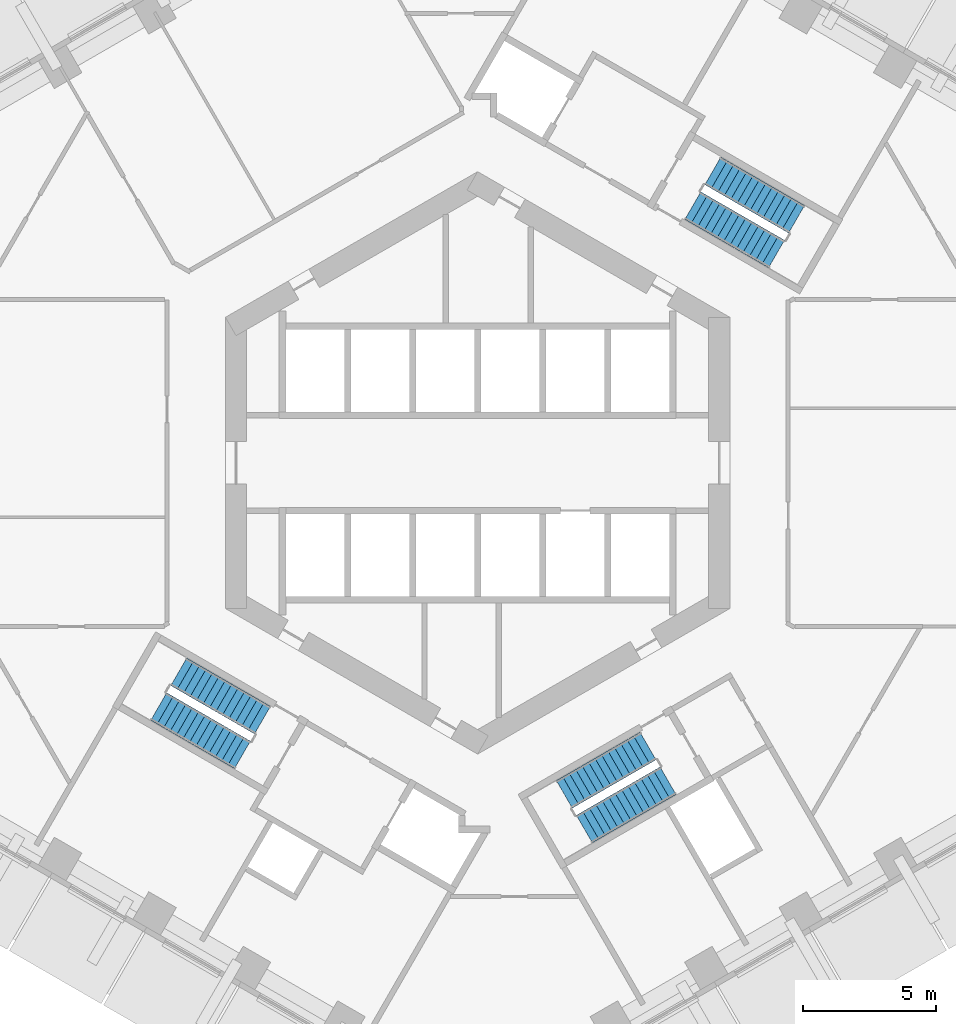
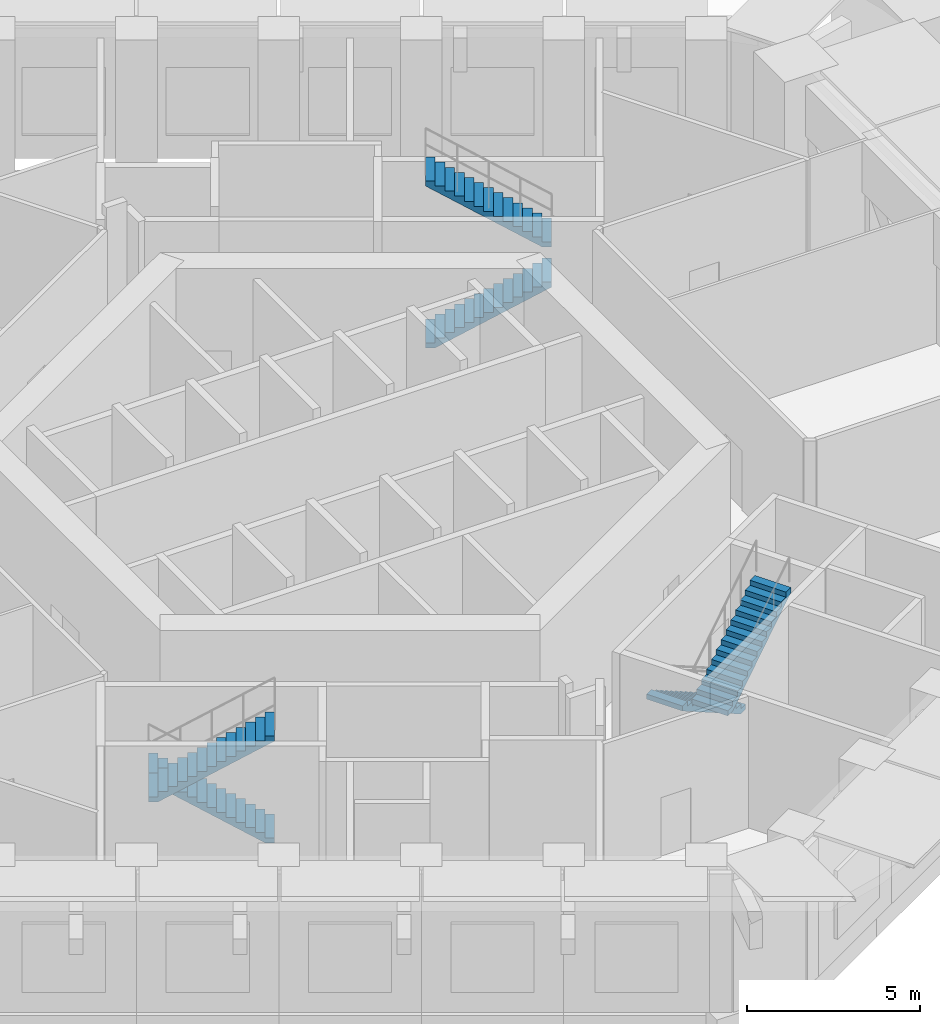
# One storey, part 7 of 10: 6 stair flights, 3 elements without a shape of their own.
"""IFC4 building model written with IfcOpenShell, lengths in metres."""

from ifc_helpers import new_model, si_unit, direction, frame, origin, place, context, subcontext, project, spatial, triangles, material, type_object, element, aggregate, save


model = new_model("IFC4")

# Units and contexts
model_context = context("Model", 3, precision=1e-05, world=origin(), true_north=direction((0.0, 1.0)))
body_context = subcontext(model_context, "Body", "Model", "MODEL_VIEW")
ifc_project = project(units=[si_unit("LENGTHUNIT", "METRE"), si_unit("AREAUNIT", "SQUARE_METRE"), si_unit("VOLUMEUNIT", "CUBIC_METRE"), si_unit("PLANEANGLEUNIT", "RADIAN"), si_unit("MASSUNIT", "GRAM", prefix="KILO")], contexts=[model_context])

# Site, building, storey
site_placement = place(None, origin())
site = spatial("IfcSite", under=ifc_project, at=site_placement, CompositionType="ELEMENT")
building_placement = place(site_placement, origin())
building = spatial("IfcBuilding", under=site, at=building_placement, Name="Ayvan Gate Tower", CompositionType="ELEMENT")
storey_placement = place(building_placement, frame((0.0, 0.0, 20.5)))
storey = spatial("IfcBuildingStorey", under=building, at=storey_placement, Name="L04", CompositionType="ELEMENT", Elevation=20.5)

# Stair, stair flights
ifc_material = material(Name="Concrete C40/50", Category="concrete")
stair_type = type_object("IfcStairType", Name="ST-EXIT", PredefinedType="HALF_TURN_STAIR", material=ifc_material)
stair_1_placement = place(storey_placement, origin())
stair_1 = element("IfcStair", 1, at=stair_1_placement, inside=storey, type_object=stair_type, Name="L04 Exit Stair S1", PredefinedType="HALF_TURN_STAIR")
stair_flight_type = type_object("IfcStairFlightType", Name="SFL-EXIT", PredefinedType="STRAIGHT", material=ifc_material)
stair_flight_1_placement = place(storey_placement, frame((8.106201171875, 9.690185546875, 0.0), z_axis=(0.0, 0.0, 1.0), x_axis=(0.866025403784, -0.5, 0.0)))
stair_flight_1 = element("IfcStairFlight", 2, at=stair_flight_1_placement, type_object=stair_flight_type, Name="STS1 flight 1", NumberOfRisers=14, NumberOfTreads=13, PredefinedType="STRAIGHT", RiserHeight=0.178571429, TreadLength=0.28, context=body_context, shape_type="Tessellation", body=[
    triangles([(0.278779, -0.599976, 0.0), (3.6405, -0.599976, 2.143955), (3.6405, -0.599976, 2.321429), (3.36, -0.599976, 2.321429), (3.36, -0.599976, 2.142857), (3.08, -0.599976, 2.142857), (3.08, -0.599976, 1.964286), (2.8, -0.599976, 1.964286), (2.8, -0.599976, 1.785714), (2.52, -0.599976, 1.785714), (2.52, -0.599976, 1.607143), (2.24, -0.599976, 1.607143), (2.24, -0.599976, 1.428571), (1.96, -0.599976, 1.428571), (1.96, -0.599976, 1.25), (1.68, -0.599976, 1.25), (1.68, -0.599976, 1.071429), (1.4, -0.599976, 1.071429), (1.4, -0.599976, 0.892857), (1.12, -0.599976, 0.892857), (1.12, -0.599976, 0.714286), (0.84, -0.599976, 0.714286), (0.84, -0.599976, 0.535714), (0.56, -0.599976, 0.535714), (0.56, -0.599976, 0.357143), (0.28, -0.599976, 0.357143), (0.28, -0.599976, 0.178571), (-0.0005, -0.599976, 0.178571), (-0.0005, -0.599976, 0.0), (0.278779, 0.0, 0.0), (3.6405, 0.0, 2.143955), (3.6405, 0.0, 2.321429), (3.36, 0.0, 2.321429), (3.36, 0.0, 2.142857), (3.08, 0.0, 2.142857), (3.08, 0.0, 1.964286), (2.8, 0.0, 1.964286), (2.8, 0.0, 1.785714), (2.52, 0.0, 1.785714), (2.52, 0.0, 1.607143), (2.24, 0.0, 1.607143), (2.24, 0.0, 1.428571), (1.96, 0.0, 1.428571), (1.96, 0.0, 1.25), (1.68, 0.0, 1.25), (1.68, 0.0, 1.071429), (1.4, 0.0, 1.071429), (1.4, 0.0, 0.892857), (1.12, 0.0, 0.892857), (1.12, 0.0, 0.714286), (0.84, 0.0, 0.714286), (0.84, 0.0, 0.535714), (0.56, 0.0, 0.535714), (0.56, 0.0, 0.357143), (0.28, 0.0, 0.357143), (0.28, 0.0, 0.178571), (-0.0005, 0.0, 0.178571), (-0.0005, 0.0, 0.0), (0.278779, 0.599976, 0.0), (3.6405, 0.599976, 2.143955), (3.6405, 0.599976, 2.321429), (3.36, 0.599976, 2.321429), (3.36, 0.599976, 2.142857), (3.08, 0.599976, 2.142857), (3.08, 0.599976, 1.964286), (2.8, 0.599976, 1.964286), (2.8, 0.599976, 1.785714), (2.52, 0.599976, 1.785714), (2.52, 0.599976, 1.607143), (2.24, 0.599976, 1.607143), (2.24, 0.599976, 1.428571), (1.96, 0.599976, 1.428571), (1.96, 0.599976, 1.25), (1.68, 0.599976, 1.25), (1.68, 0.599976, 1.071429), (1.4, 0.599976, 1.071429), (1.4, 0.599976, 0.892857), (1.12, 0.599976, 0.892857), (1.12, 0.599976, 0.714286), (0.84, 0.599976, 0.714286), (0.84, 0.599976, 0.535714), (0.56, 0.599976, 0.535714), (0.56, 0.599976, 0.357143), (0.28, 0.599976, 0.357143), (0.28, 0.599976, 0.178571), (-0.0005, 0.599976, 0.178571), (-0.0005, 0.599976, 0.0)], [[29, 1, 2], [87, 60, 59], [2, 3, 4], [60, 62, 61], [2, 4, 5], [60, 63, 62], [5, 6, 7], [63, 65, 64], [2, 5, 7], [60, 65, 63], [7, 8, 9], [65, 67, 66], [2, 7, 9], [60, 67, 65], [9, 10, 11], [67, 69, 68], [2, 9, 11], [60, 69, 67], [11, 12, 13], [69, 71, 70], [2, 11, 13], [60, 71, 69], [13, 14, 15], [71, 73, 72], [2, 13, 15], [60, 73, 71], [15, 16, 17], [73, 75, 74], [2, 15, 17], [60, 75, 73], [17, 18, 19], [75, 77, 76], [2, 17, 19], [60, 77, 75], [19, 20, 21], [77, 79, 78], [2, 19, 21], [60, 79, 77], [21, 22, 23], [79, 81, 80], [2, 21, 23], [60, 81, 79], [23, 24, 25], [81, 83, 82], [2, 23, 25], [60, 83, 81], [25, 26, 27], [83, 85, 84], [2, 25, 27], [60, 85, 83], [29, 2, 27], [87, 85, 60], [27, 28, 29], [85, 87, 86], [1, 30, 31], [1, 31, 2], [59, 31, 30], [59, 60, 31], [2, 31, 32], [2, 32, 3], [60, 32, 31], [60, 61, 32], [3, 32, 33], [3, 33, 4], [61, 33, 32], [61, 62, 33], [4, 33, 34], [4, 34, 5], [62, 34, 33], [62, 63, 34], [5, 34, 35], [5, 35, 6], [63, 35, 34], [63, 64, 35], [6, 35, 36], [6, 36, 7], [64, 36, 35], [64, 65, 36], [7, 36, 37], [7, 37, 8], [65, 37, 36], [65, 66, 37], [8, 37, 38], [8, 38, 9], [66, 38, 37], [66, 67, 38], [9, 38, 39], [9, 39, 10], [67, 39, 38], [67, 68, 39], [10, 39, 40], [10, 40, 11], [68, 40, 39], [68, 69, 40], [11, 40, 41], [11, 41, 12], [69, 41, 40], [69, 70, 41], [12, 41, 42], [12, 42, 13], [70, 42, 41], [70, 71, 42], [13, 42, 43], [13, 43, 14], [71, 43, 42], [71, 72, 43], [14, 43, 44], [14, 44, 15], [72, 44, 43], [72, 73, 44], [15, 44, 45], [15, 45, 16], [73, 45, 44], [73, 74, 45], [16, 45, 46], [16, 46, 17], [74, 46, 45], [74, 75, 46], [17, 46, 47], [17, 47, 18], [75, 47, 46], [75, 76, 47], [18, 47, 48], [18, 48, 19], [76, 48, 47], [76, 77, 48], [19, 48, 49], [19, 49, 20], [77, 49, 48], [77, 78, 49], [20, 49, 50], [20, 50, 21], [78, 50, 49], [78, 79, 50], [21, 50, 51], [21, 51, 22], [79, 51, 50], [79, 80, 51], [22, 51, 52], [22, 52, 23], [80, 52, 51], [80, 81, 52], [23, 52, 53], [23, 53, 24], [81, 53, 52], [81, 82, 53], [24, 53, 54], [24, 54, 25], [82, 54, 53], [82, 83, 54], [25, 54, 55], [25, 55, 26], [83, 55, 54], [83, 84, 55], [26, 55, 56], [26, 56, 27], [84, 56, 55], [84, 85, 56], [27, 56, 57], [27, 57, 28], [85, 57, 56], [85, 86, 57], [28, 57, 58], [28, 58, 29], [86, 58, 57], [86, 87, 58], [29, 58, 30], [29, 30, 1], [87, 30, 58], [87, 59, 30]], closed=True),
])
stair_flight_2_placement = place(storey_placement, frame((12.013427734375, 9.177978515625, 2.5), z_axis=(0.0, 0.0, 1.0), x_axis=(-0.866025403784, 0.5, 0.0)))
stair_flight_2 = element("IfcStairFlight", 3, at=stair_flight_2_placement, type_object=stair_flight_type, Name="STS1 flight 2", NumberOfRisers=14, NumberOfTreads=13, PredefinedType="STRAIGHT", RiserHeight=0.178571429, TreadLength=0.28, context=body_context, shape_type="Tessellation", body=[
    triangles([(0.278779, -0.599976, 0.0), (3.6405, -0.599976, 2.143955), (3.6405, -0.599976, 2.321429), (3.36, -0.599976, 2.321429), (3.36, -0.599976, 2.142857), (3.08, -0.599976, 2.142857), (3.08, -0.599976, 1.964286), (2.8, -0.599976, 1.964286), (2.8, -0.599976, 1.785714), (2.52, -0.599976, 1.785714), (2.52, -0.599976, 1.607143), (2.24, -0.599976, 1.607143), (2.24, -0.599976, 1.428571), (1.96, -0.599976, 1.428571), (1.96, -0.599976, 1.25), (1.68, -0.599976, 1.25), (1.68, -0.599976, 1.071429), (1.4, -0.599976, 1.071429), (1.4, -0.599976, 0.892857), (1.12, -0.599976, 0.892857), (1.12, -0.599976, 0.714286), (0.84, -0.599976, 0.714286), (0.84, -0.599976, 0.535714), (0.56, -0.599976, 0.535714), (0.56, -0.599976, 0.357143), (0.28, -0.599976, 0.357143), (0.28, -0.599976, 0.178571), (-0.0005, -0.599976, 0.178571), (-0.0005, -0.599976, 0.0), (0.278779, 0.0, 0.0), (3.6405, 0.0, 2.143955), (3.6405, 0.0, 2.321429), (3.36, 0.0, 2.321429), (3.36, 0.0, 2.142857), (3.08, 0.0, 2.142857), (3.08, 0.0, 1.964286), (2.8, 0.0, 1.964286), (2.8, 0.0, 1.785714), (2.52, 0.0, 1.785714), (2.52, 0.0, 1.607143), (2.24, 0.0, 1.607143), (2.24, 0.0, 1.428571), (1.96, 0.0, 1.428571), (1.96, 0.0, 1.25), (1.68, 0.0, 1.25), (1.68, 0.0, 1.071429), (1.4, 0.0, 1.071429), (1.4, 0.0, 0.892857), (1.12, 0.0, 0.892857), (1.12, 0.0, 0.714286), (0.84, 0.0, 0.714286), (0.84, 0.0, 0.535714), (0.56, 0.0, 0.535714), (0.56, 0.0, 0.357143), (0.28, 0.0, 0.357143), (0.28, 0.0, 0.178571), (-0.0005, 0.0, 0.178571), (-0.0005, 0.0, 0.0), (0.278779, 0.599976, 0.0), (3.6405, 0.599976, 2.143955), (3.6405, 0.599976, 2.321429), (3.36, 0.599976, 2.321429), (3.36, 0.599976, 2.142857), (3.08, 0.599976, 2.142857), (3.08, 0.599976, 1.964286), (2.8, 0.599976, 1.964286), (2.8, 0.599976, 1.785714), (2.52, 0.599976, 1.785714), (2.52, 0.599976, 1.607143), (2.24, 0.599976, 1.607143), (2.24, 0.599976, 1.428571), (1.96, 0.599976, 1.428571), (1.96, 0.599976, 1.25), (1.68, 0.599976, 1.25), (1.68, 0.599976, 1.071429), (1.4, 0.599976, 1.071429), (1.4, 0.599976, 0.892857), (1.12, 0.599976, 0.892857), (1.12, 0.599976, 0.714286), (0.84, 0.599976, 0.714286), (0.84, 0.599976, 0.535714), (0.56, 0.599976, 0.535714), (0.56, 0.599976, 0.357143), (0.28, 0.599976, 0.357143), (0.28, 0.599976, 0.178571), (-0.0005, 0.599976, 0.178571), (-0.0005, 0.599976, 0.0)], [[29, 1, 2], [87, 60, 59], [2, 3, 4], [60, 62, 61], [2, 4, 5], [60, 63, 62], [5, 6, 7], [63, 65, 64], [2, 5, 7], [60, 65, 63], [7, 8, 9], [65, 67, 66], [2, 7, 9], [60, 67, 65], [9, 10, 11], [67, 69, 68], [2, 9, 11], [60, 69, 67], [11, 12, 13], [69, 71, 70], [2, 11, 13], [60, 71, 69], [13, 14, 15], [71, 73, 72], [2, 13, 15], [60, 73, 71], [15, 16, 17], [73, 75, 74], [2, 15, 17], [60, 75, 73], [17, 18, 19], [75, 77, 76], [2, 17, 19], [60, 77, 75], [19, 20, 21], [77, 79, 78], [2, 19, 21], [60, 79, 77], [21, 22, 23], [79, 81, 80], [2, 21, 23], [60, 81, 79], [23, 24, 25], [81, 83, 82], [2, 23, 25], [60, 83, 81], [25, 26, 27], [83, 85, 84], [2, 25, 27], [60, 85, 83], [29, 2, 27], [87, 85, 60], [27, 28, 29], [85, 87, 86], [1, 30, 31], [1, 31, 2], [59, 31, 30], [59, 60, 31], [2, 31, 32], [2, 32, 3], [60, 32, 31], [60, 61, 32], [3, 32, 33], [3, 33, 4], [61, 33, 32], [61, 62, 33], [4, 33, 34], [4, 34, 5], [62, 34, 33], [62, 63, 34], [5, 34, 35], [5, 35, 6], [63, 35, 34], [63, 64, 35], [6, 35, 36], [6, 36, 7], [64, 36, 35], [64, 65, 36], [7, 36, 37], [7, 37, 8], [65, 37, 36], [65, 66, 37], [8, 37, 38], [8, 38, 9], [66, 38, 37], [66, 67, 38], [9, 38, 39], [9, 39, 10], [67, 39, 38], [67, 68, 39], [10, 39, 40], [10, 40, 11], [68, 40, 39], [68, 69, 40], [11, 40, 41], [11, 41, 12], [69, 41, 40], [69, 70, 41], [12, 41, 42], [12, 42, 13], [70, 42, 41], [70, 71, 42], [13, 42, 43], [13, 43, 14], [71, 43, 42], [71, 72, 43], [14, 43, 44], [14, 44, 15], [72, 44, 43], [72, 73, 44], [15, 44, 45], [15, 45, 16], [73, 45, 44], [73, 74, 45], [16, 45, 46], [16, 46, 17], [74, 46, 45], [74, 75, 46], [17, 46, 47], [17, 47, 18], [75, 47, 46], [75, 76, 47], [18, 47, 48], [18, 48, 19], [76, 48, 47], [76, 77, 48], [19, 48, 49], [19, 49, 20], [77, 49, 48], [77, 78, 49], [20, 49, 50], [20, 50, 21], [78, 50, 49], [78, 79, 50], [21, 50, 51], [21, 51, 22], [79, 51, 50], [79, 80, 51], [22, 51, 52], [22, 52, 23], [80, 52, 51], [80, 81, 52], [23, 52, 53], [23, 53, 24], [81, 53, 52], [81, 82, 53], [24, 53, 54], [24, 54, 25], [82, 54, 53], [82, 83, 54], [25, 54, 55], [25, 55, 26], [83, 55, 54], [83, 84, 55], [26, 55, 56], [26, 56, 27], [84, 56, 55], [84, 85, 56], [27, 56, 57], [27, 57, 28], [85, 57, 56], [85, 86, 57], [28, 57, 58], [28, 58, 29], [86, 58, 57], [86, 87, 58], [29, 58, 30], [29, 30, 1], [87, 30, 58], [87, 59, 30]], closed=True),
])
aggregate(stair_1, [stair_flight_1, stair_flight_2])

stair_2_placement = place(storey_placement, origin())
stair_2 = element("IfcStair", 4, at=stair_2_placement, inside=storey, type_object=stair_type, Name="L04 Exit Stair S2", PredefinedType="HALF_TURN_STAIR")
stair_flight_3_placement = place(storey_placement, frame((-8.106201171875, -9.690185546875, 0.0), z_axis=(0.0, 0.0, 1.0), x_axis=(-0.866025403784, 0.5, 0.0)))
stair_flight_3 = element("IfcStairFlight", 5, at=stair_flight_3_placement, type_object=stair_flight_type, Name="STS2 flight 1", NumberOfRisers=14, NumberOfTreads=13, PredefinedType="STRAIGHT", RiserHeight=0.178571429, TreadLength=0.28, context=body_context, shape_type="Tessellation", body=[
    triangles([(0.278779, -0.599976, 0.0), (3.6405, -0.599976, 2.143955), (3.6405, -0.599976, 2.321429), (3.36, -0.599976, 2.321429), (3.36, -0.599976, 2.142857), (3.08, -0.599976, 2.142857), (3.08, -0.599976, 1.964286), (2.8, -0.599976, 1.964286), (2.8, -0.599976, 1.785714), (2.52, -0.599976, 1.785714), (2.52, -0.599976, 1.607143), (2.24, -0.599976, 1.607143), (2.24, -0.599976, 1.428571), (1.96, -0.599976, 1.428571), (1.96, -0.599976, 1.25), (1.68, -0.599976, 1.25), (1.68, -0.599976, 1.071429), (1.4, -0.599976, 1.071429), (1.4, -0.599976, 0.892857), (1.12, -0.599976, 0.892857), (1.12, -0.599976, 0.714286), (0.84, -0.599976, 0.714286), (0.84, -0.599976, 0.535714), (0.56, -0.599976, 0.535714), (0.56, -0.599976, 0.357143), (0.28, -0.599976, 0.357143), (0.28, -0.599976, 0.178571), (-0.0005, -0.599976, 0.178571), (-0.0005, -0.599976, 0.0), (0.278779, 0.0, 0.0), (3.6405, 0.0, 2.143955), (3.6405, 0.0, 2.321429), (3.36, 0.0, 2.321429), (3.36, 0.0, 2.142857), (3.08, 0.0, 2.142857), (3.08, 0.0, 1.964286), (2.8, 0.0, 1.964286), (2.8, 0.0, 1.785714), (2.52, 0.0, 1.785714), (2.52, 0.0, 1.607143), (2.24, 0.0, 1.607143), (2.24, 0.0, 1.428571), (1.96, 0.0, 1.428571), (1.96, 0.0, 1.25), (1.68, 0.0, 1.25), (1.68, 0.0, 1.071429), (1.4, 0.0, 1.071429), (1.4, 0.0, 0.892857), (1.12, 0.0, 0.892857), (1.12, 0.0, 0.714286), (0.84, 0.0, 0.714286), (0.84, 0.0, 0.535714), (0.56, 0.0, 0.535714), (0.56, 0.0, 0.357143), (0.28, 0.0, 0.357143), (0.28, 0.0, 0.178571), (-0.0005, 0.0, 0.178571), (-0.0005, 0.0, 0.0), (0.278779, 0.599976, 0.0), (3.6405, 0.599976, 2.143955), (3.6405, 0.599976, 2.321429), (3.36, 0.599976, 2.321429), (3.36, 0.599976, 2.142857), (3.08, 0.599976, 2.142857), (3.08, 0.599976, 1.964286), (2.8, 0.599976, 1.964286), (2.8, 0.599976, 1.785714), (2.52, 0.599976, 1.785714), (2.52, 0.599976, 1.607143), (2.24, 0.599976, 1.607143), (2.24, 0.599976, 1.428571), (1.96, 0.599976, 1.428571), (1.96, 0.599976, 1.25), (1.68, 0.599976, 1.25), (1.68, 0.599976, 1.071429), (1.4, 0.599976, 1.071429), (1.4, 0.599976, 0.892857), (1.12, 0.599976, 0.892857), (1.12, 0.599976, 0.714286), (0.84, 0.599976, 0.714286), (0.84, 0.599976, 0.535714), (0.56, 0.599976, 0.535714), (0.56, 0.599976, 0.357143), (0.28, 0.599976, 0.357143), (0.28, 0.599976, 0.178571), (-0.0005, 0.599976, 0.178571), (-0.0005, 0.599976, 0.0)], [[29, 1, 2], [87, 60, 59], [2, 3, 4], [60, 62, 61], [2, 4, 5], [60, 63, 62], [5, 6, 7], [63, 65, 64], [2, 5, 7], [60, 65, 63], [7, 8, 9], [65, 67, 66], [2, 7, 9], [60, 67, 65], [9, 10, 11], [67, 69, 68], [2, 9, 11], [60, 69, 67], [11, 12, 13], [69, 71, 70], [2, 11, 13], [60, 71, 69], [13, 14, 15], [71, 73, 72], [2, 13, 15], [60, 73, 71], [15, 16, 17], [73, 75, 74], [2, 15, 17], [60, 75, 73], [17, 18, 19], [75, 77, 76], [2, 17, 19], [60, 77, 75], [19, 20, 21], [77, 79, 78], [2, 19, 21], [60, 79, 77], [21, 22, 23], [79, 81, 80], [2, 21, 23], [60, 81, 79], [23, 24, 25], [81, 83, 82], [2, 23, 25], [60, 83, 81], [25, 26, 27], [83, 85, 84], [2, 25, 27], [60, 85, 83], [29, 2, 27], [87, 85, 60], [27, 28, 29], [85, 87, 86], [1, 30, 31], [1, 31, 2], [59, 31, 30], [59, 60, 31], [2, 31, 32], [2, 32, 3], [60, 32, 31], [60, 61, 32], [3, 32, 33], [3, 33, 4], [61, 33, 32], [61, 62, 33], [4, 33, 34], [4, 34, 5], [62, 34, 33], [62, 63, 34], [5, 34, 35], [5, 35, 6], [63, 35, 34], [63, 64, 35], [6, 35, 36], [6, 36, 7], [64, 36, 35], [64, 65, 36], [7, 36, 37], [7, 37, 8], [65, 37, 36], [65, 66, 37], [8, 37, 38], [8, 38, 9], [66, 38, 37], [66, 67, 38], [9, 38, 39], [9, 39, 10], [67, 39, 38], [67, 68, 39], [10, 39, 40], [10, 40, 11], [68, 40, 39], [68, 69, 40], [11, 40, 41], [11, 41, 12], [69, 41, 40], [69, 70, 41], [12, 41, 42], [12, 42, 13], [70, 42, 41], [70, 71, 42], [13, 42, 43], [13, 43, 14], [71, 43, 42], [71, 72, 43], [14, 43, 44], [14, 44, 15], [72, 44, 43], [72, 73, 44], [15, 44, 45], [15, 45, 16], [73, 45, 44], [73, 74, 45], [16, 45, 46], [16, 46, 17], [74, 46, 45], [74, 75, 46], [17, 46, 47], [17, 47, 18], [75, 47, 46], [75, 76, 47], [18, 47, 48], [18, 48, 19], [76, 48, 47], [76, 77, 48], [19, 48, 49], [19, 49, 20], [77, 49, 48], [77, 78, 49], [20, 49, 50], [20, 50, 21], [78, 50, 49], [78, 79, 50], [21, 50, 51], [21, 51, 22], [79, 51, 50], [79, 80, 51], [22, 51, 52], [22, 52, 23], [80, 52, 51], [80, 81, 52], [23, 52, 53], [23, 53, 24], [81, 53, 52], [81, 82, 53], [24, 53, 54], [24, 54, 25], [82, 54, 53], [82, 83, 54], [25, 54, 55], [25, 55, 26], [83, 55, 54], [83, 84, 55], [26, 55, 56], [26, 56, 27], [84, 56, 55], [84, 85, 56], [27, 56, 57], [27, 57, 28], [85, 57, 56], [85, 86, 57], [28, 57, 58], [28, 58, 29], [86, 58, 57], [86, 87, 58], [29, 58, 30], [29, 30, 1], [87, 30, 58], [87, 59, 30]], closed=True),
])
stair_flight_4_placement = place(storey_placement, frame((-12.013427734375, -9.177978515625, 2.5), z_axis=(0.0, 0.0, 1.0), x_axis=(0.866025403784, -0.5, 0.0)))
stair_flight_4 = element("IfcStairFlight", 6, at=stair_flight_4_placement, type_object=stair_flight_type, Name="STS2 flight 2", NumberOfRisers=14, NumberOfTreads=13, PredefinedType="STRAIGHT", RiserHeight=0.178571429, TreadLength=0.28, context=body_context, shape_type="Tessellation", body=[
    triangles([(0.278779, -0.599976, 0.0), (3.6405, -0.599976, 2.143955), (3.6405, -0.599976, 2.321429), (3.36, -0.599976, 2.321429), (3.36, -0.599976, 2.142857), (3.08, -0.599976, 2.142857), (3.08, -0.599976, 1.964286), (2.8, -0.599976, 1.964286), (2.8, -0.599976, 1.785714), (2.52, -0.599976, 1.785714), (2.52, -0.599976, 1.607143), (2.24, -0.599976, 1.607143), (2.24, -0.599976, 1.428571), (1.96, -0.599976, 1.428571), (1.96, -0.599976, 1.25), (1.68, -0.599976, 1.25), (1.68, -0.599976, 1.071429), (1.4, -0.599976, 1.071429), (1.4, -0.599976, 0.892857), (1.12, -0.599976, 0.892857), (1.12, -0.599976, 0.714286), (0.84, -0.599976, 0.714286), (0.84, -0.599976, 0.535714), (0.56, -0.599976, 0.535714), (0.56, -0.599976, 0.357143), (0.28, -0.599976, 0.357143), (0.28, -0.599976, 0.178571), (-0.0005, -0.599976, 0.178571), (-0.0005, -0.599976, 0.0), (0.278779, 0.0, 0.0), (3.6405, 0.0, 2.143955), (3.6405, 0.0, 2.321429), (3.36, 0.0, 2.321429), (3.36, 0.0, 2.142857), (3.08, 0.0, 2.142857), (3.08, 0.0, 1.964286), (2.8, 0.0, 1.964286), (2.8, 0.0, 1.785714), (2.52, 0.0, 1.785714), (2.52, 0.0, 1.607143), (2.24, 0.0, 1.607143), (2.24, 0.0, 1.428571), (1.96, 0.0, 1.428571), (1.96, 0.0, 1.25), (1.68, 0.0, 1.25), (1.68, 0.0, 1.071429), (1.4, 0.0, 1.071429), (1.4, 0.0, 0.892857), (1.12, 0.0, 0.892857), (1.12, 0.0, 0.714286), (0.84, 0.0, 0.714286), (0.84, 0.0, 0.535714), (0.56, 0.0, 0.535714), (0.56, 0.0, 0.357143), (0.28, 0.0, 0.357143), (0.28, 0.0, 0.178571), (-0.0005, 0.0, 0.178571), (-0.0005, 0.0, 0.0), (0.278779, 0.599976, 0.0), (3.6405, 0.599976, 2.143955), (3.6405, 0.599976, 2.321429), (3.36, 0.599976, 2.321429), (3.36, 0.599976, 2.142857), (3.08, 0.599976, 2.142857), (3.08, 0.599976, 1.964286), (2.8, 0.599976, 1.964286), (2.8, 0.599976, 1.785714), (2.52, 0.599976, 1.785714), (2.52, 0.599976, 1.607143), (2.24, 0.599976, 1.607143), (2.24, 0.599976, 1.428571), (1.96, 0.599976, 1.428571), (1.96, 0.599976, 1.25), (1.68, 0.599976, 1.25), (1.68, 0.599976, 1.071429), (1.4, 0.599976, 1.071429), (1.4, 0.599976, 0.892857), (1.12, 0.599976, 0.892857), (1.12, 0.599976, 0.714286), (0.84, 0.599976, 0.714286), (0.84, 0.599976, 0.535714), (0.56, 0.599976, 0.535714), (0.56, 0.599976, 0.357143), (0.28, 0.599976, 0.357143), (0.28, 0.599976, 0.178571), (-0.0005, 0.599976, 0.178571), (-0.0005, 0.599976, 0.0)], [[29, 1, 2], [87, 60, 59], [2, 3, 4], [60, 62, 61], [2, 4, 5], [60, 63, 62], [5, 6, 7], [63, 65, 64], [2, 5, 7], [60, 65, 63], [7, 8, 9], [65, 67, 66], [2, 7, 9], [60, 67, 65], [9, 10, 11], [67, 69, 68], [2, 9, 11], [60, 69, 67], [11, 12, 13], [69, 71, 70], [2, 11, 13], [60, 71, 69], [13, 14, 15], [71, 73, 72], [2, 13, 15], [60, 73, 71], [15, 16, 17], [73, 75, 74], [2, 15, 17], [60, 75, 73], [17, 18, 19], [75, 77, 76], [2, 17, 19], [60, 77, 75], [19, 20, 21], [77, 79, 78], [2, 19, 21], [60, 79, 77], [21, 22, 23], [79, 81, 80], [2, 21, 23], [60, 81, 79], [23, 24, 25], [81, 83, 82], [2, 23, 25], [60, 83, 81], [25, 26, 27], [83, 85, 84], [2, 25, 27], [60, 85, 83], [29, 2, 27], [87, 85, 60], [27, 28, 29], [85, 87, 86], [1, 30, 31], [1, 31, 2], [59, 31, 30], [59, 60, 31], [2, 31, 32], [2, 32, 3], [60, 32, 31], [60, 61, 32], [3, 32, 33], [3, 33, 4], [61, 33, 32], [61, 62, 33], [4, 33, 34], [4, 34, 5], [62, 34, 33], [62, 63, 34], [5, 34, 35], [5, 35, 6], [63, 35, 34], [63, 64, 35], [6, 35, 36], [6, 36, 7], [64, 36, 35], [64, 65, 36], [7, 36, 37], [7, 37, 8], [65, 37, 36], [65, 66, 37], [8, 37, 38], [8, 38, 9], [66, 38, 37], [66, 67, 38], [9, 38, 39], [9, 39, 10], [67, 39, 38], [67, 68, 39], [10, 39, 40], [10, 40, 11], [68, 40, 39], [68, 69, 40], [11, 40, 41], [11, 41, 12], [69, 41, 40], [69, 70, 41], [12, 41, 42], [12, 42, 13], [70, 42, 41], [70, 71, 42], [13, 42, 43], [13, 43, 14], [71, 43, 42], [71, 72, 43], [14, 43, 44], [14, 44, 15], [72, 44, 43], [72, 73, 44], [15, 44, 45], [15, 45, 16], [73, 45, 44], [73, 74, 45], [16, 45, 46], [16, 46, 17], [74, 46, 45], [74, 75, 46], [17, 46, 47], [17, 47, 18], [75, 47, 46], [75, 76, 47], [18, 47, 48], [18, 48, 19], [76, 48, 47], [76, 77, 48], [19, 48, 49], [19, 49, 20], [77, 49, 48], [77, 78, 49], [20, 49, 50], [20, 50, 21], [78, 50, 49], [78, 79, 50], [21, 50, 51], [21, 51, 22], [79, 51, 50], [79, 80, 51], [22, 51, 52], [22, 52, 23], [80, 52, 51], [80, 81, 52], [23, 52, 53], [23, 53, 24], [81, 53, 52], [81, 82, 53], [24, 53, 54], [24, 54, 25], [82, 54, 53], [82, 83, 54], [25, 54, 55], [25, 55, 26], [83, 55, 54], [83, 84, 55], [26, 55, 56], [26, 56, 27], [84, 56, 55], [84, 85, 56], [27, 56, 57], [27, 57, 28], [85, 57, 56], [85, 86, 57], [28, 57, 58], [28, 58, 29], [86, 58, 57], [86, 87, 58], [29, 58, 30], [29, 30, 1], [87, 30, 58], [87, 59, 30]], closed=True),
])
aggregate(stair_2, [stair_flight_3, stair_flight_4])

stair_3_placement = place(storey_placement, origin())
stair_3 = element("IfcStair", 7, at=stair_3_placement, inside=storey, type_object=stair_type, Name="L04 Exit Stair S3", PredefinedType="HALF_TURN_STAIR")
stair_flight_5_placement = place(storey_placement, frame((6.417236328125, -10.665283203125, 0.0), z_axis=(0.0, 0.0, 1.0), x_axis=(-0.866025403784, -0.5, 0.0)))
stair_flight_5 = element("IfcStairFlight", 8, at=stair_flight_5_placement, type_object=stair_flight_type, Name="STS3 flight 1", NumberOfRisers=14, NumberOfTreads=13, PredefinedType="STRAIGHT", RiserHeight=0.178571429, TreadLength=0.28, context=body_context, shape_type="Tessellation", body=[
    triangles([(0.278779, -0.599976, 0.0), (3.6405, -0.599976, 2.143955), (3.6405, -0.599976, 2.321429), (3.36, -0.599976, 2.321429), (3.36, -0.599976, 2.142857), (3.08, -0.599976, 2.142857), (3.08, -0.599976, 1.964286), (2.8, -0.599976, 1.964286), (2.8, -0.599976, 1.785714), (2.52, -0.599976, 1.785714), (2.52, -0.599976, 1.607143), (2.24, -0.599976, 1.607143), (2.24, -0.599976, 1.428571), (1.96, -0.599976, 1.428571), (1.96, -0.599976, 1.25), (1.68, -0.599976, 1.25), (1.68, -0.599976, 1.071429), (1.4, -0.599976, 1.071429), (1.4, -0.599976, 0.892857), (1.12, -0.599976, 0.892857), (1.12, -0.599976, 0.714286), (0.84, -0.599976, 0.714286), (0.84, -0.599976, 0.535714), (0.56, -0.599976, 0.535714), (0.56, -0.599976, 0.357143), (0.28, -0.599976, 0.357143), (0.28, -0.599976, 0.178571), (-0.0005, -0.599976, 0.178571), (-0.0005, -0.599976, 0.0), (0.278779, 0.0, 0.0), (3.6405, 0.0, 2.143955), (3.6405, 0.0, 2.321429), (3.36, 0.0, 2.321429), (3.36, 0.0, 2.142857), (3.08, 0.0, 2.142857), (3.08, 0.0, 1.964286), (2.8, 0.0, 1.964286), (2.8, 0.0, 1.785714), (2.52, 0.0, 1.785714), (2.52, 0.0, 1.607143), (2.24, 0.0, 1.607143), (2.24, 0.0, 1.428571), (1.96, 0.0, 1.428571), (1.96, 0.0, 1.25), (1.68, 0.0, 1.25), (1.68, 0.0, 1.071429), (1.4, 0.0, 1.071429), (1.4, 0.0, 0.892857), (1.12, 0.0, 0.892857), (1.12, 0.0, 0.714286), (0.84, 0.0, 0.714286), (0.84, 0.0, 0.535714), (0.56, 0.0, 0.535714), (0.56, 0.0, 0.357143), (0.28, 0.0, 0.357143), (0.28, 0.0, 0.178571), (-0.0005, 0.0, 0.178571), (-0.0005, 0.0, 0.0), (0.278779, 0.599976, 0.0), (3.6405, 0.599976, 2.143955), (3.6405, 0.599976, 2.321429), (3.36, 0.599976, 2.321429), (3.36, 0.599976, 2.142857), (3.08, 0.599976, 2.142857), (3.08, 0.599976, 1.964286), (2.8, 0.599976, 1.964286), (2.8, 0.599976, 1.785714), (2.52, 0.599976, 1.785714), (2.52, 0.599976, 1.607143), (2.24, 0.599976, 1.607143), (2.24, 0.599976, 1.428571), (1.96, 0.599976, 1.428571), (1.96, 0.599976, 1.25), (1.68, 0.599976, 1.25), (1.68, 0.599976, 1.071429), (1.4, 0.599976, 1.071429), (1.4, 0.599976, 0.892857), (1.12, 0.599976, 0.892857), (1.12, 0.599976, 0.714286), (0.84, 0.599976, 0.714286), (0.84, 0.599976, 0.535714), (0.56, 0.599976, 0.535714), (0.56, 0.599976, 0.357143), (0.28, 0.599976, 0.357143), (0.28, 0.599976, 0.178571), (-0.0005, 0.599976, 0.178571), (-0.0005, 0.599976, 0.0)], [[29, 1, 2], [87, 60, 59], [2, 3, 4], [60, 62, 61], [2, 4, 5], [60, 63, 62], [5, 6, 7], [63, 65, 64], [2, 5, 7], [60, 65, 63], [7, 8, 9], [65, 67, 66], [2, 7, 9], [60, 67, 65], [9, 10, 11], [67, 69, 68], [2, 9, 11], [60, 69, 67], [11, 12, 13], [69, 71, 70], [2, 11, 13], [60, 71, 69], [13, 14, 15], [71, 73, 72], [2, 13, 15], [60, 73, 71], [15, 16, 17], [73, 75, 74], [2, 15, 17], [60, 75, 73], [17, 18, 19], [75, 77, 76], [2, 17, 19], [60, 77, 75], [19, 20, 21], [77, 79, 78], [2, 19, 21], [60, 79, 77], [21, 22, 23], [79, 81, 80], [2, 21, 23], [60, 81, 79], [23, 24, 25], [81, 83, 82], [2, 23, 25], [60, 83, 81], [25, 26, 27], [83, 85, 84], [2, 25, 27], [60, 85, 83], [29, 2, 27], [87, 85, 60], [27, 28, 29], [85, 87, 86], [1, 30, 31], [1, 31, 2], [59, 31, 30], [59, 60, 31], [2, 31, 32], [2, 32, 3], [60, 32, 31], [60, 61, 32], [3, 32, 33], [3, 33, 4], [61, 33, 32], [61, 62, 33], [4, 33, 34], [4, 34, 5], [62, 34, 33], [62, 63, 34], [5, 34, 35], [5, 35, 6], [63, 35, 34], [63, 64, 35], [6, 35, 36], [6, 36, 7], [64, 36, 35], [64, 65, 36], [7, 36, 37], [7, 37, 8], [65, 37, 36], [65, 66, 37], [8, 37, 38], [8, 38, 9], [66, 38, 37], [66, 67, 38], [9, 38, 39], [9, 39, 10], [67, 39, 38], [67, 68, 39], [10, 39, 40], [10, 40, 11], [68, 40, 39], [68, 69, 40], [11, 40, 41], [11, 41, 12], [69, 41, 40], [69, 70, 41], [12, 41, 42], [12, 42, 13], [70, 42, 41], [70, 71, 42], [13, 42, 43], [13, 43, 14], [71, 43, 42], [71, 72, 43], [14, 43, 44], [14, 44, 15], [72, 44, 43], [72, 73, 44], [15, 44, 45], [15, 45, 16], [73, 45, 44], [73, 74, 45], [16, 45, 46], [16, 46, 17], [74, 46, 45], [74, 75, 46], [17, 46, 47], [17, 47, 18], [75, 47, 46], [75, 76, 47], [18, 47, 48], [18, 48, 19], [76, 48, 47], [76, 77, 48], [19, 48, 49], [19, 49, 20], [77, 49, 48], [77, 78, 49], [20, 49, 50], [20, 50, 21], [78, 50, 49], [78, 79, 50], [21, 50, 51], [21, 51, 22], [79, 51, 50], [79, 80, 51], [22, 51, 52], [22, 52, 23], [80, 52, 51], [80, 81, 52], [23, 52, 53], [23, 53, 24], [81, 53, 52], [81, 82, 53], [24, 53, 54], [24, 54, 25], [82, 54, 53], [82, 83, 54], [25, 54, 55], [25, 55, 26], [83, 55, 54], [83, 84, 55], [26, 55, 56], [26, 56, 27], [84, 56, 55], [84, 85, 56], [27, 56, 57], [27, 57, 28], [85, 57, 56], [85, 86, 57], [28, 57, 58], [28, 58, 29], [86, 58, 57], [86, 87, 58], [29, 58, 30], [29, 30, 1], [87, 30, 58], [87, 59, 30]], closed=True),
])
stair_flight_6_placement = place(storey_placement, frame((4.02001953125, -13.79296875, 2.5), z_axis=(0.0, 0.0, 1.0), x_axis=(0.866025403784, 0.5, 0.0)))
stair_flight_6 = element("IfcStairFlight", 9, at=stair_flight_6_placement, type_object=stair_flight_type, Name="STS3 flight 2", NumberOfRisers=14, NumberOfTreads=13, PredefinedType="STRAIGHT", RiserHeight=0.178571429, TreadLength=0.28, context=body_context, shape_type="Tessellation", body=[
    triangles([(0.278779, -0.599976, 0.0), (3.6405, -0.599976, 2.143955), (3.6405, -0.599976, 2.321429), (3.36, -0.599976, 2.321429), (3.36, -0.599976, 2.142857), (3.08, -0.599976, 2.142857), (3.08, -0.599976, 1.964286), (2.8, -0.599976, 1.964286), (2.8, -0.599976, 1.785714), (2.52, -0.599976, 1.785714), (2.52, -0.599976, 1.607143), (2.24, -0.599976, 1.607143), (2.24, -0.599976, 1.428571), (1.96, -0.599976, 1.428571), (1.96, -0.599976, 1.25), (1.68, -0.599976, 1.25), (1.68, -0.599976, 1.071429), (1.4, -0.599976, 1.071429), (1.4, -0.599976, 0.892857), (1.12, -0.599976, 0.892857), (1.12, -0.599976, 0.714286), (0.84, -0.599976, 0.714286), (0.84, -0.599976, 0.535714), (0.56, -0.599976, 0.535714), (0.56, -0.599976, 0.357143), (0.28, -0.599976, 0.357143), (0.28, -0.599976, 0.178571), (-0.0005, -0.599976, 0.178571), (-0.0005, -0.599976, 0.0), (0.278779, 0.0, 0.0), (3.6405, 0.0, 2.143955), (3.6405, 0.0, 2.321429), (3.36, 0.0, 2.321429), (3.36, 0.0, 2.142857), (3.08, 0.0, 2.142857), (3.08, 0.0, 1.964286), (2.8, 0.0, 1.964286), (2.8, 0.0, 1.785714), (2.52, 0.0, 1.785714), (2.52, 0.0, 1.607143), (2.24, 0.0, 1.607143), (2.24, 0.0, 1.428571), (1.96, 0.0, 1.428571), (1.96, 0.0, 1.25), (1.68, 0.0, 1.25), (1.68, 0.0, 1.071429), (1.4, 0.0, 1.071429), (1.4, 0.0, 0.892857), (1.12, 0.0, 0.892857), (1.12, 0.0, 0.714286), (0.84, 0.0, 0.714286), (0.84, 0.0, 0.535714), (0.56, 0.0, 0.535714), (0.56, 0.0, 0.357143), (0.28, 0.0, 0.357143), (0.28, 0.0, 0.178571), (-0.0005, 0.0, 0.178571), (-0.0005, 0.0, 0.0), (0.278779, 0.599976, 0.0), (3.6405, 0.599976, 2.143955), (3.6405, 0.599976, 2.321429), (3.36, 0.599976, 2.321429), (3.36, 0.599976, 2.142857), (3.08, 0.599976, 2.142857), (3.08, 0.599976, 1.964286), (2.8, 0.599976, 1.964286), (2.8, 0.599976, 1.785714), (2.52, 0.599976, 1.785714), (2.52, 0.599976, 1.607143), (2.24, 0.599976, 1.607143), (2.24, 0.599976, 1.428571), (1.96, 0.599976, 1.428571), (1.96, 0.599976, 1.25), (1.68, 0.599976, 1.25), (1.68, 0.599976, 1.071429), (1.4, 0.599976, 1.071429), (1.4, 0.599976, 0.892857), (1.12, 0.599976, 0.892857), (1.12, 0.599976, 0.714286), (0.84, 0.599976, 0.714286), (0.84, 0.599976, 0.535714), (0.56, 0.599976, 0.535714), (0.56, 0.599976, 0.357143), (0.28, 0.599976, 0.357143), (0.28, 0.599976, 0.178571), (-0.0005, 0.599976, 0.178571), (-0.0005, 0.599976, 0.0)], [[29, 1, 2], [87, 60, 59], [2, 3, 4], [60, 62, 61], [2, 4, 5], [60, 63, 62], [5, 6, 7], [63, 65, 64], [2, 5, 7], [60, 65, 63], [7, 8, 9], [65, 67, 66], [2, 7, 9], [60, 67, 65], [9, 10, 11], [67, 69, 68], [2, 9, 11], [60, 69, 67], [11, 12, 13], [69, 71, 70], [2, 11, 13], [60, 71, 69], [13, 14, 15], [71, 73, 72], [2, 13, 15], [60, 73, 71], [15, 16, 17], [73, 75, 74], [2, 15, 17], [60, 75, 73], [17, 18, 19], [75, 77, 76], [2, 17, 19], [60, 77, 75], [19, 20, 21], [77, 79, 78], [2, 19, 21], [60, 79, 77], [21, 22, 23], [79, 81, 80], [2, 21, 23], [60, 81, 79], [23, 24, 25], [81, 83, 82], [2, 23, 25], [60, 83, 81], [25, 26, 27], [83, 85, 84], [2, 25, 27], [60, 85, 83], [29, 2, 27], [87, 85, 60], [27, 28, 29], [85, 87, 86], [1, 30, 31], [1, 31, 2], [59, 31, 30], [59, 60, 31], [2, 31, 32], [2, 32, 3], [60, 32, 31], [60, 61, 32], [3, 32, 33], [3, 33, 4], [61, 33, 32], [61, 62, 33], [4, 33, 34], [4, 34, 5], [62, 34, 33], [62, 63, 34], [5, 34, 35], [5, 35, 6], [63, 35, 34], [63, 64, 35], [6, 35, 36], [6, 36, 7], [64, 36, 35], [64, 65, 36], [7, 36, 37], [7, 37, 8], [65, 37, 36], [65, 66, 37], [8, 37, 38], [8, 38, 9], [66, 38, 37], [66, 67, 38], [9, 38, 39], [9, 39, 10], [67, 39, 38], [67, 68, 39], [10, 39, 40], [10, 40, 11], [68, 40, 39], [68, 69, 40], [11, 40, 41], [11, 41, 12], [69, 41, 40], [69, 70, 41], [12, 41, 42], [12, 42, 13], [70, 42, 41], [70, 71, 42], [13, 42, 43], [13, 43, 14], [71, 43, 42], [71, 72, 43], [14, 43, 44], [14, 44, 15], [72, 44, 43], [72, 73, 44], [15, 44, 45], [15, 45, 16], [73, 45, 44], [73, 74, 45], [16, 45, 46], [16, 46, 17], [74, 46, 45], [74, 75, 46], [17, 46, 47], [17, 47, 18], [75, 47, 46], [75, 76, 47], [18, 47, 48], [18, 48, 19], [76, 48, 47], [76, 77, 48], [19, 48, 49], [19, 49, 20], [77, 49, 48], [77, 78, 49], [20, 49, 50], [20, 50, 21], [78, 50, 49], [78, 79, 50], [21, 50, 51], [21, 51, 22], [79, 51, 50], [79, 80, 51], [22, 51, 52], [22, 52, 23], [80, 52, 51], [80, 81, 52], [23, 52, 53], [23, 53, 24], [81, 53, 52], [81, 82, 53], [24, 53, 54], [24, 54, 25], [82, 54, 53], [82, 83, 54], [25, 54, 55], [25, 55, 26], [83, 55, 54], [83, 84, 55], [26, 55, 56], [26, 56, 27], [84, 56, 55], [84, 85, 56], [27, 56, 57], [27, 57, 28], [85, 57, 56], [85, 86, 57], [28, 57, 58], [28, 58, 29], [86, 58, 57], [86, 87, 58], [29, 58, 30], [29, 30, 1], [87, 30, 58], [87, 59, 30]], closed=True),
])
aggregate(stair_3, [stair_flight_5, stair_flight_6])

save(model, "model.ifc")
